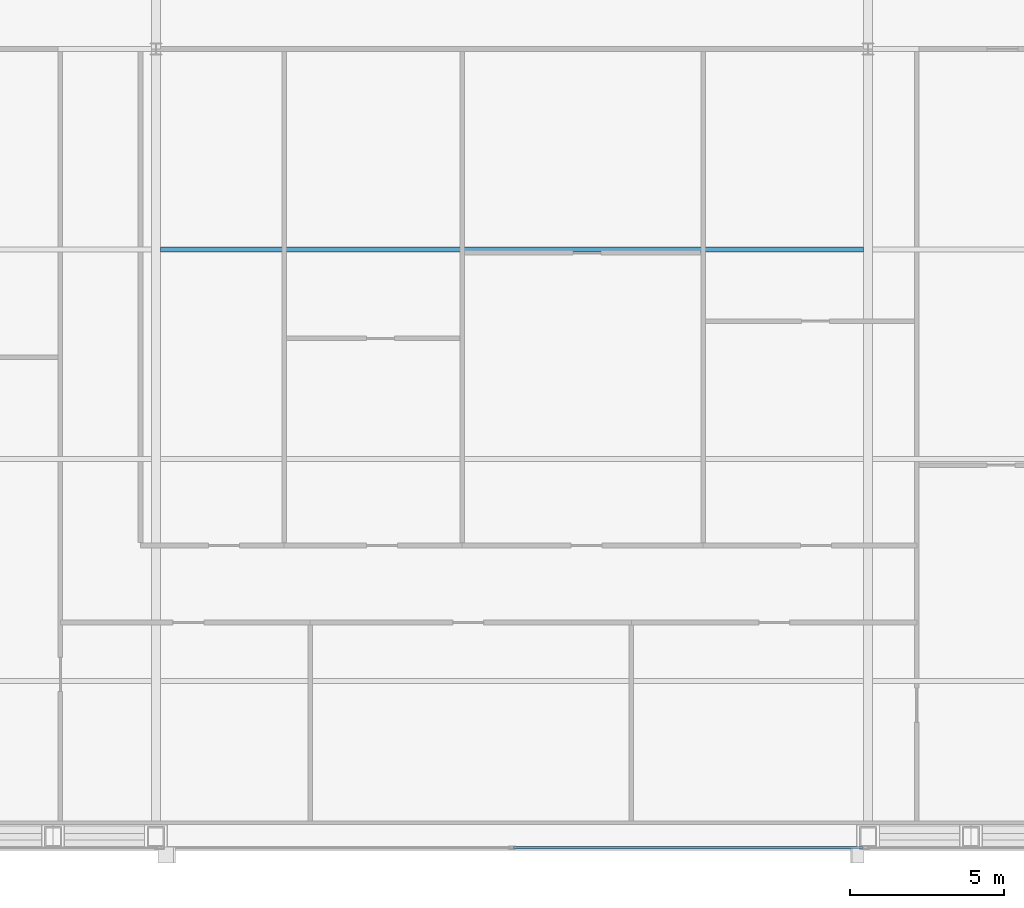
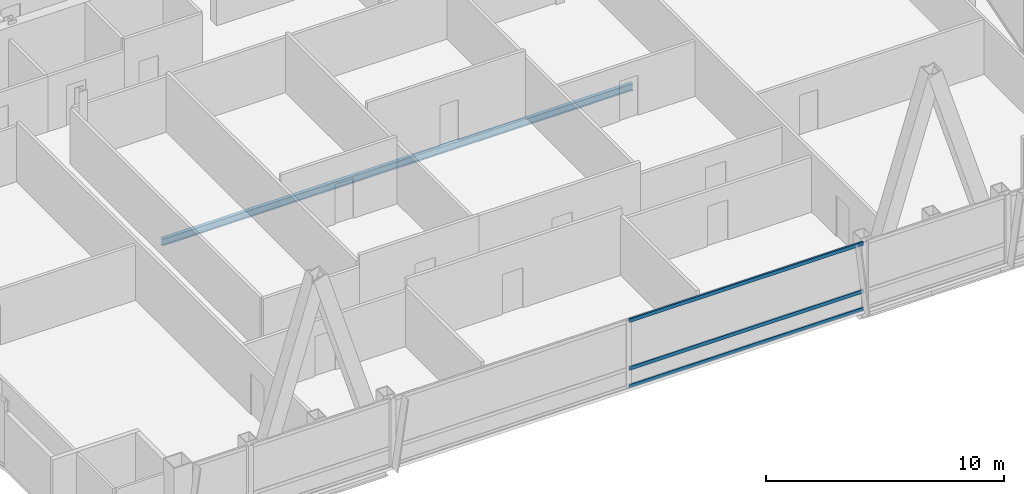
# One storey, part 12 of 29: 3 members, 1 beam, 1 element without a shape of its own.
"""IFC4 building model written with IfcOpenShell, lengths in metres."""

import ifcopenshell
import ifcopenshell.guid

model = None  # the IFC model being written
_history = None  # IfcOwnerHistory: only IFC2X3 demands one
_inside = {}  # id of a spatial element -> (the spatial element, [elements in it])
_under = {}  # id of a project, library or spatial element -> (it, [spatial elements below it])
_declared = {}  # id of a project -> (the project, [libraries it declares])
_typed = {}  # id of a type object -> (the type object, [elements of that type])
_made_of = {}  # id of a material, layer set ... -> (it, [elements and type objects made of it])


def new_model(schema):
    """Start an empty IFC model of exactly this schema.

    Asked for "IFC4X3", IfcOpenShell would pick the latest addendum, in which some entities
    have other attributes; the version numbers below select the first issue.
    IFC2X3 requires an IfcOwnerHistory on every rooted entity: one is made here for all.
    """
    global model, _history
    if schema == "IFC4X3":
        model = ifcopenshell.file(schema_version=(4, 3, 0, 0))
    else:
        model = ifcopenshell.file(schema=schema)
    _inside.clear()
    _under.clear()
    _declared.clear()
    _typed.clear()
    _made_of.clear()
    _history = None
    if model.schema == "IFC2X3":
        org = make("IfcOrganization", Name="unknown")
        user = make(
            "IfcPersonAndOrganization",
            ThePerson=make("IfcPerson", FamilyName="unknown"),
            TheOrganization=org,
        )
        app = make(
            "IfcApplication",
            ApplicationDeveloper=org,
            Version="unknown",
            ApplicationFullName="unknown",
            ApplicationIdentifier="unknown",
        )
        _history = make(
            "IfcOwnerHistory",
            OwningUser=user,
            OwningApplication=app,
            ChangeAction="ADDED",
            CreationDate=0,
        )
    return model


def make(cls, **values):
    """One entity of the class cls with the attributes given. An attribute that is None is left unset."""
    return model.create_entity(
        cls, **{name: value for name, value in values.items() if value is not None}
    )


def rooted(cls, **values):
    """An entity with a GlobalId (a new one), such as an element, a storey or a relation."""
    return make(cls, GlobalId=ifcopenshell.guid.new(), OwnerHistory=_history, **values)


def si_unit(unit_type, name, prefix=None):
    """IfcSIUnit, for example si_unit("LENGTHUNIT", "METRE", prefix="MILLI")."""
    return make("IfcSIUnit", UnitType=unit_type, Prefix=prefix, Name=name)


def assignment(units):
    """IfcUnitAssignment: the units of a project."""
    return None if units is None else make("IfcUnitAssignment", Units=units)


def point(xyz):
    """IfcCartesianPoint."""
    return None if xyz is None else make("IfcCartesianPoint", Coordinates=xyz)


def direction(xyz):
    """IfcDirection."""
    return None if xyz is None else make("IfcDirection", DirectionRatios=xyz)


def frame(location, z_axis=None, x_axis=None):
    """IfcAxis2Placement3D, a coordinate frame: its origin and axes. An axis left out is left unset."""
    return make(
        "IfcAxis2Placement3D",
        Location=point(location),
        Axis=direction(z_axis),
        RefDirection=direction(x_axis),
    )


def frame_2d(location, x_axis=None):
    """IfcAxis2Placement2D, a coordinate frame in the plane: its origin and x axis."""
    return make(
        "IfcAxis2Placement2D", Location=point(location), RefDirection=direction(x_axis)
    )


def origin():
    """The frame at (0, 0, 0) with its axes left unset."""
    return frame((0.0, 0.0, 0.0))


def origin_2d():
    """The frame at (0, 0) in the plane with its x axis left unset."""
    return frame_2d((0.0, 0.0))


def place(relative_to, where):
    """IfcLocalPlacement: puts the frame where relative to a parent placement (None: the world)."""
    return make(
        "IfcLocalPlacement", PlacementRelTo=relative_to, RelativePlacement=where
    )


def context(
    kind, dimensions, precision=None, world=None, true_north=None, identifier=None
):
    """IfcGeometricRepresentationContext, for example the 3D "Model" context."""
    return make(
        "IfcGeometricRepresentationContext",
        ContextIdentifier=identifier,
        ContextType=kind,
        CoordinateSpaceDimension=dimensions,
        Precision=precision,
        WorldCoordinateSystem=world,
        TrueNorth=true_north,
    )


def subcontext(parent, identifier, kind, view, scale=None):
    """IfcGeometricRepresentationSubContext, for example "Body" below "Model"."""
    return make(
        "IfcGeometricRepresentationSubContext",
        ContextIdentifier=identifier,
        ContextType=kind,
        ParentContext=parent,
        TargetScale=scale,
        TargetView=view,
    )


def project(units=None, contexts=None):
    """IfcProject with its units and contexts."""
    return rooted(
        "IfcProject",
        Name="project",
        RepresentationContexts=contexts,
        UnitsInContext=assignment(units),
    )


def spatial(cls, under=None, at=None, **own):
    """A site, building, storey or space (cls), placed at a placement, below another one or the project."""
    s = rooted(cls, ObjectPlacement=at, **own)
    if under is not None:
        _under.setdefault(under.id(), (under, []))[1].append(s)
    return s


def profile(cls, at=None, kind="AREA", **sizes):
    """A parametric profile (cls). Its sizes go by their IFC names, for example OverallWidth=200.0."""
    return make(cls, ProfileType=kind, Position=at, **sizes)


def hollow_rectangle(**sizes):
    """IfcRectangleHollowProfileDef."""
    return profile("IfcRectangleHollowProfileDef", **sizes)


def i_section(**sizes):
    """IfcIShapeProfileDef."""
    return profile("IfcIShapeProfileDef", **sizes)


def extrude(swept, where, along, depth):
    """IfcExtrudedAreaSolid: the profile swept, set in the frame where, extruded along a direction by depth."""
    return make(
        "IfcExtrudedAreaSolid",
        SweptArea=swept,
        Position=where,
        ExtrudedDirection=direction(along),
        Depth=depth,
    )


def shape(context_of_items, identifier, shape_type, items):
    """IfcShapeRepresentation: the items that make up one representation, for example the "Body"."""
    return make(
        "IfcShapeRepresentation",
        ContextOfItems=context_of_items,
        RepresentationIdentifier=identifier,
        RepresentationType=shape_type,
        Items=items,
    )


def material(Name=None, Category=None):
    """IfcMaterial."""
    return make("IfcMaterial", Name=Name, Category=Category)


def material_profile(
    of_material, cross_section, Name=None, Category=None, Priority=None
):
    """IfcMaterialProfile: a cross section and its material."""
    return make(
        "IfcMaterialProfile",
        Name=Name,
        Material=of_material,
        Profile=cross_section,
        Priority=Priority,
        Category=Category,
    )


def profile_set(profiles, Name=None, composite=None):
    """IfcMaterialProfileSet."""
    return make(
        "IfcMaterialProfileSet",
        Name=Name,
        MaterialProfiles=profiles,
        CompositeProfile=composite,
    )


def made_of(thing, what):
    """Note that an element or type object is made of a material, layer set ...; save() writes the relation."""
    if what is not None:
        _made_of.setdefault(what.id(), (what, []))[1].append(thing)
    return thing


def type_object(cls, material=None, **own):
    """A type object (cls), such as IfcWallType, which elements share."""
    return made_of(rooted(cls, **own), material)


def element(
    cls,
    number,
    at=None,
    inside=None,
    cuts=None,
    type_object=None,
    material=None,
    context=None,
    identifier="Body",
    shape_type=None,
    held_by="IfcProductDefinitionShape",
    body=None,
    shapes=None,
    **own,
):
    """One element of the class cls, such as IfcWall. Its Tag is "e" and its number.

    at: its placement. inside: the storey or other place that contains it. cuts: it is an
    opening in that element (IfcRelVoidsElement). A single representation is given by context,
    identifier, shape_type and body (its items); several are given by shapes. held_by: the class
    of the entity that holds the representations. save() writes the other relations.
    """
    e = rooted(cls, Tag="e%d" % number, ObjectPlacement=at, **own)
    if body is not None:
        shapes = [shape(context, identifier, shape_type, body)]
    if shapes is not None:
        e.Representation = make(held_by, Representations=shapes)
    if inside is not None:
        _inside.setdefault(inside.id(), (inside, []))[1].append(e)
    if cuts is not None:
        rooted(
            "IfcRelVoidsElement", RelatingBuildingElement=cuts, RelatedOpeningElement=e
        )
    if type_object is not None:
        _typed.setdefault(type_object.id(), (type_object, []))[1].append(e)
    return made_of(e, material)


def aggregate(whole, parts):
    """IfcRelAggregates: a whole, such as a stair, and the parts it consists of."""
    return rooted("IfcRelAggregates", RelatingObject=whole, RelatedObjects=parts)


def save(model, path):
    """Write the relations noted so far, then the file.

    IfcRelAggregates (storeys below a building ...), IfcRelContainedInSpatialStructure (elements
    in a storey), IfcRelDefinesByType, IfcRelAssociatesMaterial and IfcRelDeclares: one each for
    every whole, place, type object, material and project.
    """
    for whole, parts in _under.values():
        aggregate(whole, parts)
    for where, things in _inside.values():
        rooted(
            "IfcRelContainedInSpatialStructure",
            RelatedElements=things,
            RelatingStructure=where,
        )
    for kind, things in _typed.values():
        rooted("IfcRelDefinesByType", RelatedObjects=things, RelatingType=kind)
    for what, things in _made_of.values():
        rooted("IfcRelAssociatesMaterial", RelatedObjects=things, RelatingMaterial=what)
    for by, libraries in _declared.values():
        rooted("IfcRelDeclares", RelatingContext=by, RelatedDefinitions=libraries)
    model.write(path)


model = new_model("IFC4")

# Units and contexts
model_context = context("Model", 3, precision=1e-05, world=origin(), true_north=direction((0.0, 1.0)))
body_context = subcontext(model_context, "Body", "Model", "MODEL_VIEW")
ifc_project = project(units=[si_unit("LENGTHUNIT", "METRE"), si_unit("AREAUNIT", "SQUARE_METRE"), si_unit("VOLUMEUNIT", "CUBIC_METRE"), si_unit("PLANEANGLEUNIT", "RADIAN"), si_unit("MASSUNIT", "GRAM", prefix="KILO")], contexts=[model_context])

# Site, building, storey
site_placement = place(None, origin())
site = spatial("IfcSite", under=ifc_project, at=site_placement, CompositionType="ELEMENT")
building_placement = place(site_placement, origin())
building = spatial("IfcBuilding", under=site, at=building_placement, Name="Khoronbel Lancet Exchange", CompositionType="ELEMENT")
storey_placement = place(building_placement, frame((0.0, 0.0, 314.60009765625)))
storey = spatial("IfcBuildingStorey", under=building, at=storey_placement, Name="L81", CompositionType="ELEMENT", Elevation=314.60009765625)

# Beam
ifc_material_1 = material(Name="Steel S355", Category="steel")
ifc_material_profile_1 = material_profile(ifc_material_1, i_section(OverallWidth=0.169921875, OverallDepth=0.360107421875, WebThickness=0.008056640625, FlangeThickness=0.0126953125, at=origin_2d()), Name="IPE 360")
ifc_profile_set_1 = profile_set([ifc_material_profile_1], Name="Steel S355")
beam_type = type_object("IfcBeamType", Name="BM-BJ6", PredefinedType="JOIST", material=ifc_profile_set_1)
beam_placement = place(storey_placement, frame((25.050048828125, 29.199951171875, -0.340087890625), z_axis=(1.0, 0.0, 0.0), x_axis=(0.0, 1.0, 0.0)))
element("IfcBeam", 1, at=beam_placement, inside=storey, type_object=beam_type, Name="Level L81 secondary composite joist J08", PredefinedType="JOIST", context=body_context, shape_type="SweptSolid", body=[
    extrude(i_section(OverallWidth=0.169921875, OverallDepth=0.360107421875, WebThickness=0.008056640625, FlangeThickness=0.0126953125, at=origin_2d()), origin(), (0.0, 0.0, 1.0), 22.800048828125),
])

# Curtain wall, members
ifc_material_2 = material(Name="Low-E Solar Control Insulating Glass", Category="glass")
curtain_wall_type = type_object("IfcCurtainWallType", Name="CW-3", PredefinedType="NOTDEFINED", material=ifc_material_2)
curtain_wall_placement = place(storey_placement, origin())
curtain_wall = element("IfcCurtainWall", 2, at=curtain_wall_placement, inside=storey, type_object=curtain_wall_type, Name="Unitised curtain wall CW-L81-SCV", PredefinedType="NOTDEFINED")
ifc_material_3 = material(Name="Bronze-Anodised Aluminium 6063-T6", Category="aluminium")
ifc_material_profile_2 = material_profile(ifc_material_3, hollow_rectangle(XDim=0.0849609375, YDim=0.179931640625, WallThickness=0.0048828125, at=origin_2d()), Name="ALU TRANSOM 85x180")
ifc_profile_set_2 = profile_set([ifc_material_profile_2], Name="Bronze-Anodised Aluminium 6063-T6")
member_type = type_object("IfcMemberType", Name="MEM-CWT1", PredefinedType="USERDEFINED", material=ifc_profile_set_2)
member_1_placement = place(storey_placement, frame((36.492431640625, 9.7900390625, 0.04248046875), z_axis=(1.0, 0.0, 0.0), x_axis=(0.0, 1.0, 0.0)))
member_1 = element("IfcMember", 3, at=member_1_placement, type_object=member_type, Name="CW3 transom 2.1", ObjectType="TRANSOM", PredefinedType="USERDEFINED", context=body_context, shape_type="SweptSolid", body=[
    extrude(hollow_rectangle(XDim=0.0849609375, YDim=0.179931640625, WallThickness=0.0048828125, at=origin_2d()), origin(), (0.0, 0.0, 1.0), 11.322509765625),
])
member_2_placement = place(storey_placement, frame((36.492431640625, 9.7900390625, 0.949951171875), z_axis=(1.0, 0.0, 0.0), x_axis=(0.0, 1.0, 0.0)))
member_2 = element("IfcMember", 4, at=member_2_placement, type_object=member_type, Name="CW3 transom 2.2", ObjectType="TRANSOM", PredefinedType="USERDEFINED", context=body_context, shape_type="SweptSolid", body=[
    extrude(hollow_rectangle(XDim=0.0849609375, YDim=0.179931640625, WallThickness=0.0048828125, at=origin_2d()), origin(), (0.0, 0.0, 1.0), 11.322509765625),
])
member_3_placement = place(storey_placement, frame((36.492431640625, 9.7900390625, 3.3974609375), z_axis=(1.0, 0.0, 0.0), x_axis=(0.0, 1.0, 0.0)))
member_3 = element("IfcMember", 5, at=member_3_placement, type_object=member_type, Name="CW3 transom 2.3", ObjectType="TRANSOM", PredefinedType="USERDEFINED", context=body_context, shape_type="SweptSolid", body=[
    extrude(hollow_rectangle(XDim=0.0849609375, YDim=0.179931640625, WallThickness=0.0048828125, at=origin_2d()), origin(), (0.0, 0.0, 1.0), 11.322509765625),
])
aggregate(curtain_wall, [member_1, member_2, member_3])

save(model, "model.ifc")
